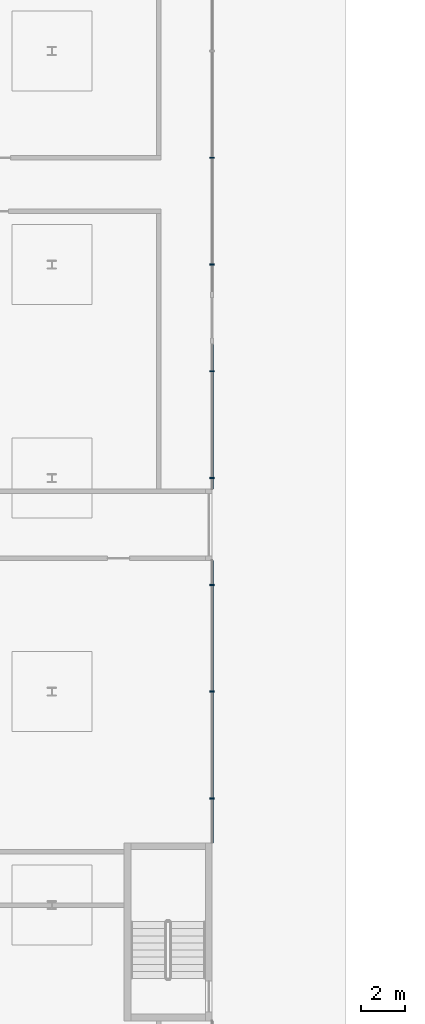
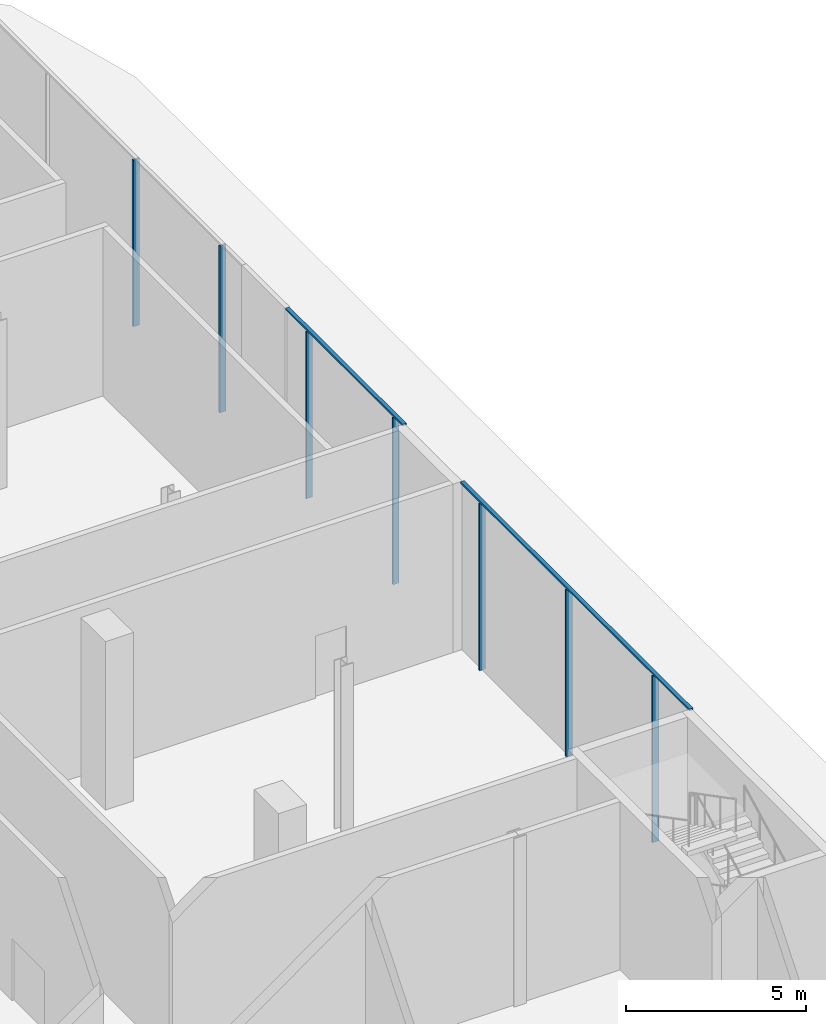
# One storey, part 17 of 44: 9 members, 1 element without a shape of its own.
"""IFC4 building model written with IfcOpenShell, lengths in metres."""

from ifc_helpers import new_model, si_unit, direction, frame, origin, origin_2d, place, context, subcontext, project, spatial, rectangle, extrude, material, layer, layer_set, material_profile, profile_set, type_object, element, aggregate, save


model = new_model("IFC4")

# Units and contexts
model_context = context("Model", 3, precision=1e-05, world=origin(), true_north=direction((0.0, 1.0)))
body_context = subcontext(model_context, "Body", "Model", "MODEL_VIEW")
ifc_project = project(units=[si_unit("LENGTHUNIT", "METRE"), si_unit("AREAUNIT", "SQUARE_METRE"), si_unit("VOLUMEUNIT", "CUBIC_METRE"), si_unit("PLANEANGLEUNIT", "RADIAN"), si_unit("MASSUNIT", "GRAM", prefix="KILO")], contexts=[model_context])

# Site, building, storey
site_placement = place(None, origin())
site = spatial("IfcSite", under=ifc_project, at=site_placement, CompositionType="ELEMENT")
building_placement = place(site_placement, origin())
building = spatial("IfcBuilding", under=site, at=building_placement, Name="Madar Terraces", CompositionType="ELEMENT")
storey_placement = place(building_placement, origin())
storey = spatial("IfcBuildingStorey", under=building, at=storey_placement, Name="L00", CompositionType="ELEMENT", Elevation=0.0)

# Curtain wall, members
ifc_material_1 = material(Name="Glass, clear low-iron, with black aluminium frame", Category="aluminium")
ifc_layer = layer(ifc_material_1, 0.199951171875)
ifc_layer_set = layer_set([ifc_layer], Name="Facade curtain wall, shopfront glazing")
curtain_wall_type = type_object("IfcCurtainWallType", Name="Facade curtain wall, shopfront glazing", PredefinedType="NOTDEFINED", material=ifc_layer_set)
curtain_wall_placement = place(storey_placement, origin())
curtain_wall = element("IfcCurtainWall", 1, at=curtain_wall_placement, inside=storey, type_object=curtain_wall_type, Name="Outer skin curtain wall east bay 1", PredefinedType="NOTDEFINED")
ifc_material_2 = material(Name="Aluminium, black anodised", Category="aluminium")
ifc_material_profile_1 = material_profile(ifc_material_2, rectangle(XDim=0.199951171875, YDim=0.06005859375, at=origin_2d()), Name="Facade mullion 60x200")
ifc_profile_set_1 = profile_set([ifc_material_profile_1], Name="Aluminium, black anodised")
member_type_1 = type_object("IfcMemberType", Name="Facade mullion 60x200", PredefinedType="MULLION", material=ifc_profile_set_1)
member_1_placement = place(storey_placement, frame((69.60009765625, 14.39990234375, 0.0), z_axis=(0.0, 0.0, 1.0), x_axis=(-1.0, 0.0, 0.0)))
member_1 = element("IfcMember", 2, at=member_1_placement, type_object=member_type_1, Name="Mullion 11", PredefinedType="MULLION", context=body_context, shape_type="SweptSolid", body=[
    extrude(rectangle(XDim=0.199951171875, YDim=0.06005859375, at=origin_2d()), origin(), (0.0, 0.0, 1.0), 5.639892578125),
])
member_2_placement = place(storey_placement, frame((69.60009765625, 19.199951171875, 0.0), z_axis=(0.0, 0.0, 1.0), x_axis=(-1.0, 0.0, 0.0)))
member_2 = element("IfcMember", 3, at=member_2_placement, type_object=member_type_1, Name="Mullion 12", PredefinedType="MULLION", context=body_context, shape_type="SweptSolid", body=[
    extrude(rectangle(XDim=0.199951171875, YDim=0.06005859375, at=origin_2d()), origin(), (0.0, 0.0, 1.0), 5.639892578125),
])
member_3_placement = place(storey_placement, frame((69.60009765625, 24.0, 0.0), z_axis=(0.0, 0.0, 1.0), x_axis=(-1.0, 0.0, 0.0)))
member_3 = element("IfcMember", 4, at=member_3_placement, type_object=member_type_1, Name="Mullion 13", PredefinedType="MULLION", context=body_context, shape_type="SweptSolid", body=[
    extrude(rectangle(XDim=0.199951171875, YDim=0.06005859375, at=origin_2d()), origin(), (0.0, 0.0, 1.0), 5.639892578125),
])
member_4_placement = place(storey_placement, frame((69.60009765625, 28.800048828125, 0.0), z_axis=(0.0, 0.0, 1.0), x_axis=(-1.0, 0.0, 0.0)))
member_4 = element("IfcMember", 5, at=member_4_placement, type_object=member_type_1, Name="Mullion 14", PredefinedType="MULLION", context=body_context, shape_type="SweptSolid", body=[
    extrude(rectangle(XDim=0.199951171875, YDim=0.06005859375, at=origin_2d()), origin(), (0.0, 0.0, 1.0), 5.639892578125),
])
member_5_placement = place(storey_placement, frame((69.60009765625, 33.60009765625, 0.0), z_axis=(0.0, 0.0, 1.0), x_axis=(-1.0, 0.0, 0.0)))
member_5 = element("IfcMember", 6, at=member_5_placement, type_object=member_type_1, Name="Mullion 15", PredefinedType="MULLION", context=body_context, shape_type="SweptSolid", body=[
    extrude(rectangle(XDim=0.199951171875, YDim=0.06005859375, at=origin_2d()), origin(), (0.0, 0.0, 1.0), 5.639892578125),
])
member_6_placement = place(storey_placement, frame((69.60009765625, 38.39990234375, 0.0), z_axis=(0.0, 0.0, 1.0), x_axis=(-1.0, 0.0, 0.0)))
member_6 = element("IfcMember", 7, at=member_6_placement, type_object=member_type_1, Name="Mullion 16", PredefinedType="MULLION", context=body_context, shape_type="SweptSolid", body=[
    extrude(rectangle(XDim=0.199951171875, YDim=0.06005859375, at=origin_2d()), origin(), (0.0, 0.0, 1.0), 5.639892578125),
])
member_7_placement = place(storey_placement, frame((69.60009765625, 43.199951171875, 0.0), z_axis=(0.0, 0.0, 1.0), x_axis=(-1.0, 0.0, 0.0)))
member_7 = element("IfcMember", 8, at=member_7_placement, type_object=member_type_1, Name="Mullion 17", PredefinedType="MULLION", context=body_context, shape_type="SweptSolid", body=[
    extrude(rectangle(XDim=0.199951171875, YDim=0.06005859375, at=origin_2d()), origin(), (0.0, 0.0, 1.0), 5.639892578125),
])
ifc_material_3 = material(Name="Aluminium, black anodised", Category="aluminium")
ifc_material_profile_2 = material_profile(ifc_material_3, rectangle(XDim=0.1201171875, YDim=0.06005859375, at=origin_2d()), Name="Facade transom 60x120")
ifc_profile_set_2 = profile_set([ifc_material_profile_2], Name="Aluminium, black anodised")
member_type_2 = type_object("IfcMemberType", Name="Facade transom 60x120", PredefinedType="USERDEFINED", material=ifc_profile_set_2)
member_8_placement = place(storey_placement, frame((69.60009765625, 12.39990234375, 5.669921875), z_axis=(0.0, 1.0, 0.0), x_axis=(-1.0, 0.0, 0.0)))
member_8 = element("IfcMember", 9, at=member_8_placement, type_object=member_type_2, Name="Transom 3", ObjectType="TRANSOM", PredefinedType="USERDEFINED", context=body_context, shape_type="SweptSolid", body=[
    extrude(rectangle(XDim=0.1201171875, YDim=0.06005859375, at=origin_2d()), origin(), (0.0, 0.0, 1.0), 12.7001953125),
])
member_9_placement = place(storey_placement, frame((69.60009765625, 28.300048828125, 5.669921875), z_axis=(0.0, 1.0, 0.0), x_axis=(-1.0, 0.0, 0.0)))
member_9 = element("IfcMember", 10, at=member_9_placement, type_object=member_type_2, Name="Transom 4", ObjectType="TRANSOM", PredefinedType="USERDEFINED", context=body_context, shape_type="SweptSolid", body=[
    extrude(rectangle(XDim=0.1201171875, YDim=0.06005859375, at=origin_2d()), origin(), (0.0, 0.0, 1.0), 6.5),
])
aggregate(curtain_wall, [member_1, member_2, member_3, member_8, member_4, member_5, member_9, member_6, member_7])

save(model, "model.ifc")
